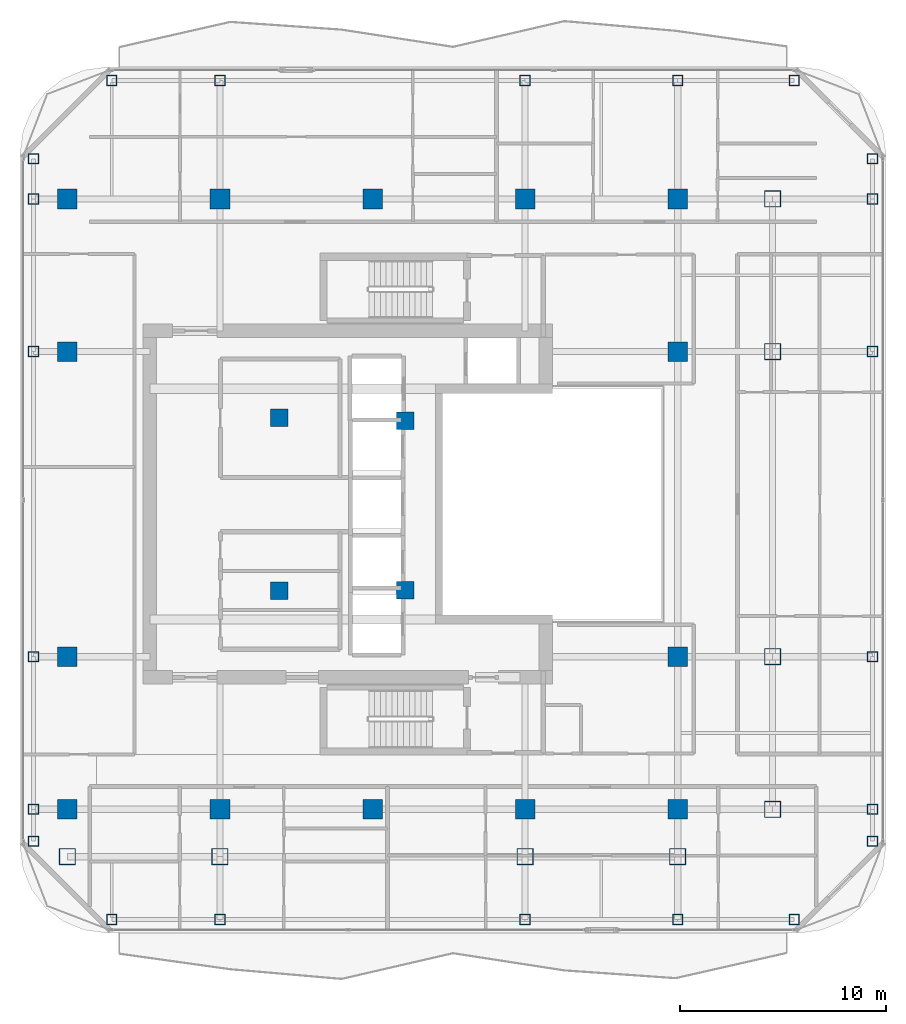
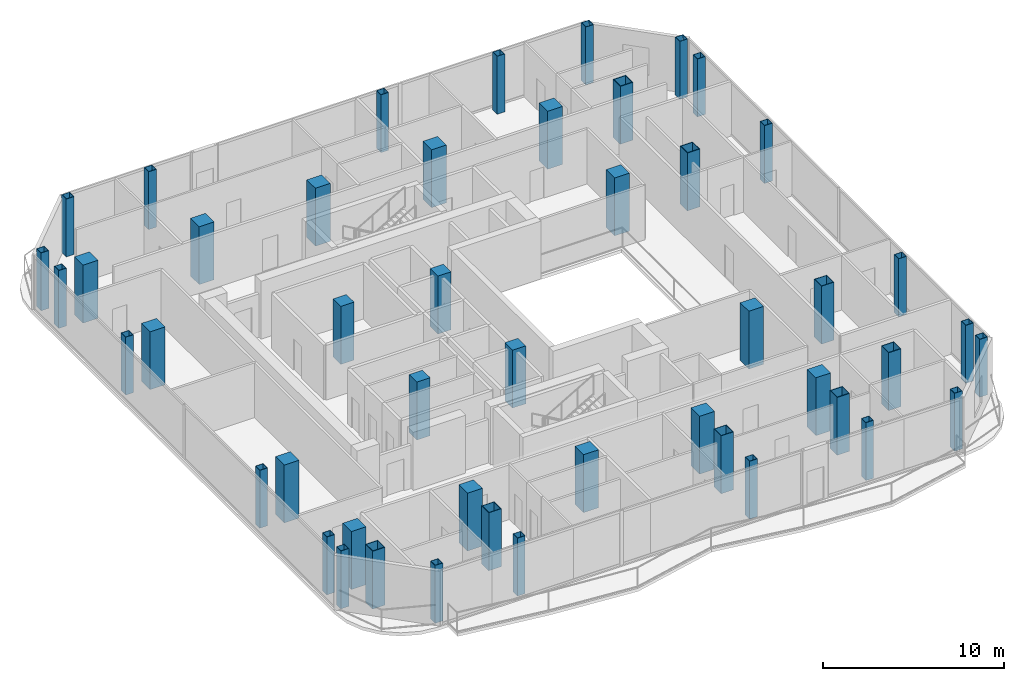
# One storey, part 1 of 22: 48 columns.
"""IFC4 building model written with IfcOpenShell, lengths in metres."""

from ifc_helpers import new_model, si_unit, direction, frame, origin, origin_2d, place, context, subcontext, project, spatial, rectangle, hollow_rectangle, extrude, material, material_profile, profile_set, type_object, element, save


model = new_model("IFC4")

# Units and contexts
model_context = context("Model", 3, precision=1e-05, world=origin(), true_north=direction((0.0, 1.0)))
body_context = subcontext(model_context, "Body", "Model", "MODEL_VIEW")
ifc_project = project(units=[si_unit("LENGTHUNIT", "METRE"), si_unit("AREAUNIT", "SQUARE_METRE"), si_unit("VOLUMEUNIT", "CUBIC_METRE"), si_unit("PLANEANGLEUNIT", "RADIAN"), si_unit("MASSUNIT", "GRAM", prefix="KILO")], contexts=[model_context])

# Site, building, storey
site_placement = place(None, origin())
site = spatial("IfcSite", under=ifc_project, at=site_placement, CompositionType="ELEMENT")
building_placement = place(site_placement, origin())
building = spatial("IfcBuilding", under=site, at=building_placement, Name="Khorvyn Point Tower", CompositionType="ELEMENT")
storey_placement = place(building_placement, frame((0.0, 0.0, 278.10009765625)))
storey = spatial("IfcBuildingStorey", under=building, at=storey_placement, Name="L68", CompositionType="ELEMENT", Elevation=278.10009765625)

# Columns
ifc_material_1 = material(Name="Concrete C40/50", Category="concrete")
ifc_material_profile_1 = material_profile(ifc_material_1, rectangle(XDim=0.85009765625, YDim=0.85009765625, at=origin_2d()))
ifc_profile_set_1 = profile_set([ifc_material_profile_1], Name="Concrete C40/50 RC850x850")
column_type_1 = type_object("IfcColumnType", Name="Concrete C40/50 Column RC850x850", PredefinedType="COLUMN", material=ifc_profile_set_1)
for number, where, z_axis, x_axis, name in (
    (1, (-4.52001953125, -4.199951171875, 0.0), (0.0, 0.0, 1.0), (1.0, 0.0, 0.0), "L68 Crown Core Spine Column 1"),
    (2, (1.580078125, -4.179931640625, 0.0), (0.0, 0.0, 1.0), (1.0, 0.0, 0.0), "L68 Crown Core Spine Column 2"),
    (3, (1.580078125, 4.050048828125, 0.0), (0.0, 0.0, 1.0), (1.0, 0.0, 0.0), "L68 Crown Core Spine Column 3"),
    (4, (-4.52001953125, 4.199951171875, 0.0), (0.0, 0.0, 1.0), (1.0, 0.0, 0.0), "L68 Crown Core Spine Column 4"),
):
    element("IfcColumn", number, at=place(storey_placement, frame(where, z_axis=z_axis, x_axis=x_axis)), inside=storey, type_object=column_type_1, Name=name, PredefinedType="COLUMN", context=body_context, shape_type="SweptSolid", body=[
        extrude(rectangle(XDim=0.85009765625, YDim=0.85009765625, at=origin_2d()), origin(), (0.0, 0.0, 1.0), 3.89990234375),
    ])
ifc_material_profile_2 = material_profile(ifc_material_1, rectangle(XDim=0.949951171875, YDim=0.949951171875, at=origin_2d()))
ifc_profile_set_2 = profile_set([ifc_material_profile_2], Name="Concrete C40/50 RC950x950")
column_type_2 = type_object("IfcColumnType", Name="Concrete C40/50 Column RC950x950", PredefinedType="COLUMN", material=ifc_profile_set_2)
for number, where, z_axis, x_axis, name in (
    (5, (-14.800048828125, -14.800048828125, 0.0), (0.0, 0.0, 1.0), (1.0, 0.0, 0.0), "L68 Mega-Column MC-01"),
    (6, (-7.39990234375, -14.800048828125, 0.0), (0.0, 0.0, 1.0), (1.0, 0.0, 0.0), "L68 Mega-Column MC-02"),
    (7, (0.0, -14.800048828125, 0.0), (0.0, 0.0, 1.0), (1.0, 0.0, 0.0), "L68 Mega-Column MC-03"),
    (8, (7.39990234375, -14.800048828125, 0.0), (0.0, 0.0, 1.0), (1.0, 0.0, 0.0), "L68 Mega-Column MC-04"),
    (9, (14.800048828125, -14.800048828125, 0.0), (0.0, 0.0, 1.0), (1.0, 0.0, 0.0), "L68 Mega-Column MC-05"),
    (10, (-14.800048828125, 14.800048828125, 0.0), (0.0, 0.0, 1.0), (1.0, 0.0, 0.0), "L68 Mega-Column MC-06"),
    (11, (-7.39990234375, 14.800048828125, 0.0), (0.0, 0.0, 1.0), (1.0, 0.0, 0.0), "L68 Mega-Column MC-07"),
    (12, (0.0, 14.800048828125, 0.0), (0.0, 0.0, 1.0), (1.0, 0.0, 0.0), "L68 Mega-Column MC-08"),
    (13, (7.39990234375, 14.800048828125, 0.0), (0.0, 0.0, 1.0), (1.0, 0.0, 0.0), "L68 Mega-Column MC-09"),
    (14, (14.800048828125, 14.800048828125, 0.0), (0.0, 0.0, 1.0), (1.0, 0.0, 0.0), "L68 Mega-Column MC-10"),
    (15, (-14.800048828125, -7.39990234375, 0.0), (0.0, 0.0, 1.0), (1.0, 0.0, 0.0), "L68 Mega-Column MC-11"),
    (16, (-14.800048828125, 7.39990234375, 0.0), (0.0, 0.0, 1.0), (1.0, 0.0, 0.0), "L68 Mega-Column MC-12"),
    (17, (14.800048828125, -7.39990234375, 0.0), (0.0, 0.0, 1.0), (1.0, 0.0, 0.0), "L68 Mega-Column MC-13"),
    (18, (14.800048828125, 7.39990234375, 0.0), (0.0, 0.0, 1.0), (1.0, 0.0, 0.0), "L68 Mega-Column MC-14"),
):
    element("IfcColumn", number, at=place(storey_placement, frame(where, z_axis=z_axis, x_axis=x_axis)), inside=storey, type_object=column_type_2, Name=name, PredefinedType="COLUMN", context=body_context, shape_type="SweptSolid", body=[
        extrude(rectangle(XDim=0.949951171875, YDim=0.949951171875, at=origin_2d()), origin(), (0.0, 0.0, 1.0), 3.89990234375),
    ])
ifc_material_2 = material(Name="Steel S355", Category="steel")
ifc_material_profile_3 = material_profile(ifc_material_2, hollow_rectangle(XDim=0.5, YDim=0.5, WallThickness=0.02490234375, at=origin_2d()))
ifc_profile_set_3 = profile_set([ifc_material_profile_3], Name="Steel S355 BOX500x500x25")
column_type_3 = type_object("IfcColumnType", Name="Steel S355 Structural Column BOX500x500x25", PredefinedType="COLUMN", material=ifc_profile_set_3)
for number, where, z_axis, x_axis, name in (
    (19, (-12.64990234375, -20.14990234375, 0.0), (0.0, 0.0, 1.0), (1.0, 0.0, 0.0), "L68 Perimeter Tube Column TC-01"),
    (20, (20.449951171875, -20.14990234375, 0.0), (0.0, 0.0, 1.0), (1.0, 0.0, 0.0), "L68 Perimeter Tube Column TC-02"),
    (21, (-12.64990234375, 20.550048828125, 0.0), (0.0, 0.0, 1.0), (1.0, 0.0, 0.0), "L68 Perimeter Tube Column TC-03"),
    (22, (20.449951171875, 20.550048828125, 0.0), (0.0, 0.0, 1.0), (1.0, 0.0, 0.0), "L68 Perimeter Tube Column TC-04"),
    (23, (-16.449951171875, -16.35009765625, 0.0), (0.0, 0.0, 1.0), (1.0, 0.0, 0.0), "L68 Perimeter Tube Column TC-05"),
    (24, (-16.449951171875, 16.75, 0.0), (0.0, 0.0, 1.0), (1.0, 0.0, 0.0), "L68 Perimeter Tube Column TC-06"),
    (25, (24.25, -16.35009765625, 0.0), (0.0, 0.0, 1.0), (1.0, 0.0, 0.0), "L68 Perimeter Tube Column TC-07"),
    (26, (24.25, 16.75, 0.0), (0.0, 0.0, 1.0), (1.0, 0.0, 0.0), "L68 Perimeter Tube Column TC-08"),
    (27, (-7.39990234375, -20.14990234375, 0.0), (0.0, 0.0, 1.0), (1.0, 0.0, 0.0), "L68 Perimeter Tube Column TC-09"),
    (28, (-7.39990234375, 20.550048828125, 0.0), (0.0, 0.0, 1.0), (1.0, 0.0, 0.0), "L68 Perimeter Tube Column TC-10"),
    (29, (7.39990234375, -20.14990234375, 0.0), (0.0, 0.0, 1.0), (1.0, 0.0, 0.0), "L68 Perimeter Tube Column TC-11"),
    (30, (7.39990234375, 20.550048828125, 0.0), (0.0, 0.0, 1.0), (1.0, 0.0, 0.0), "L68 Perimeter Tube Column TC-12"),
    (31, (14.800048828125, -20.14990234375, 0.0), (0.0, 0.0, 1.0), (1.0, 0.0, 0.0), "L68 Perimeter Tube Column TC-13"),
    (32, (14.800048828125, 20.550048828125, 0.0), (0.0, 0.0, 1.0), (1.0, 0.0, 0.0), "L68 Perimeter Tube Column TC-14"),
    (33, (-16.449951171875, -14.800048828125, 0.0), (0.0, 0.0, 1.0), (1.0, 0.0, 0.0), "L68 Perimeter Tube Column TC-15"),
    (34, (24.25, -14.800048828125, 0.0), (0.0, 0.0, 1.0), (1.0, 0.0, 0.0), "L68 Perimeter Tube Column TC-16"),
    (35, (-16.449951171875, -7.39990234375, 0.0), (0.0, 0.0, 1.0), (1.0, 0.0, 0.0), "L68 Perimeter Tube Column TC-17"),
    (36, (24.25, -7.39990234375, 0.0), (0.0, 0.0, 1.0), (1.0, 0.0, 0.0), "L68 Perimeter Tube Column TC-18"),
    (37, (-16.449951171875, 7.39990234375, 0.0), (0.0, 0.0, 1.0), (1.0, 0.0, 0.0), "L68 Perimeter Tube Column TC-19"),
    (38, (24.25, 7.39990234375, 0.0), (0.0, 0.0, 1.0), (1.0, 0.0, 0.0), "L68 Perimeter Tube Column TC-20"),
    (39, (-16.449951171875, 14.800048828125, 0.0), (0.0, 0.0, 1.0), (1.0, 0.0, 0.0), "L68 Perimeter Tube Column TC-21"),
    (40, (24.25, 14.800048828125, 0.0), (0.0, 0.0, 1.0), (1.0, 0.0, 0.0), "L68 Perimeter Tube Column TC-22"),
):
    element("IfcColumn", number, at=place(storey_placement, frame(where, z_axis=z_axis, x_axis=x_axis)), inside=storey, type_object=column_type_3, Name=name, PredefinedType="COLUMN", context=body_context, shape_type="SweptSolid", body=[
        extrude(hollow_rectangle(XDim=0.5, YDim=0.5, WallThickness=0.02490234375, at=origin_2d()), origin(), (0.0, 0.0, 1.0), 3.89990234375),
    ])
ifc_material_3 = material(Name="Steel S450", Category="steel")
ifc_material_profile_4 = material_profile(ifc_material_3, hollow_rectangle(XDim=0.800048828125, YDim=0.800048828125, WallThickness=0.035888671875, at=origin_2d()))
ifc_profile_set_4 = profile_set([ifc_material_profile_4], Name="Steel S450 BOX800x800x36")
column_type_4 = type_object("IfcColumnType", Name="Steel S450 Structural Column BOX800x800x36", PredefinedType="COLUMN", material=ifc_profile_set_4)
for number, where, z_axis, x_axis, name in (
    (41, (19.39990234375, -14.800048828125, 0.0), (0.0, 0.0, 1.0), (1.0, 0.0, 0.0), "L68 Intermediate Column ICE--14"),
    (42, (19.39990234375, -7.39990234375, 0.0), (0.0, 0.0, 1.0), (1.0, 0.0, 0.0), "L68 Intermediate Column ICE--7"),
    (43, (19.39990234375, 7.39990234375, 0.0), (0.0, 0.0, 1.0), (1.0, 0.0, 0.0), "L68 Intermediate Column ICE-7"),
    (44, (19.39990234375, 14.800048828125, 0.0), (0.0, 0.0, 1.0), (1.0, 0.0, 0.0), "L68 Intermediate Column ICE-14"),
    (45, (-14.800048828125, -17.10009765625, 0.0), (0.0, 0.0, 1.0), (1.0, 0.0, 0.0), "L68 Intermediate Column ICS--14"),
    (46, (-7.39990234375, -17.10009765625, 0.0), (0.0, 0.0, 1.0), (1.0, 0.0, 0.0), "L68 Intermediate Column ICS--7"),
    (47, (7.39990234375, -17.10009765625, 0.0), (0.0, 0.0, 1.0), (1.0, 0.0, 0.0), "L68 Intermediate Column ICS-7"),
    (48, (14.800048828125, -17.10009765625, 0.0), (0.0, 0.0, 1.0), (1.0, 0.0, 0.0), "L68 Intermediate Column ICS-14"),
):
    element("IfcColumn", number, at=place(storey_placement, frame(where, z_axis=z_axis, x_axis=x_axis)), inside=storey, type_object=column_type_4, Name=name, PredefinedType="COLUMN", context=body_context, shape_type="SweptSolid", body=[
        extrude(hollow_rectangle(XDim=0.800048828125, YDim=0.800048828125, WallThickness=0.035888671875, at=origin_2d()), origin(), (0.0, 0.0, 1.0), 3.89990234375),
    ])

save(model, "model.ifc")
